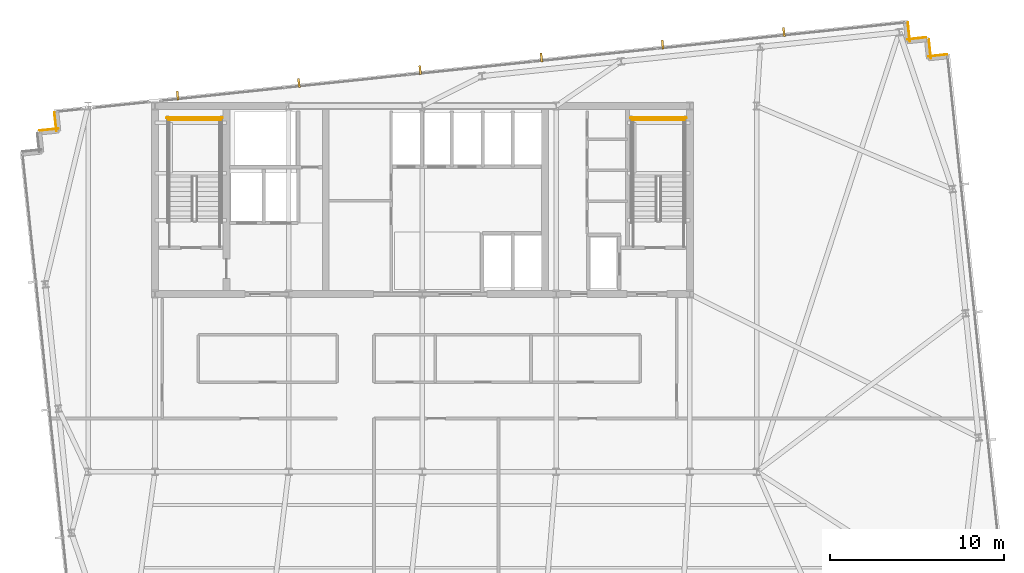
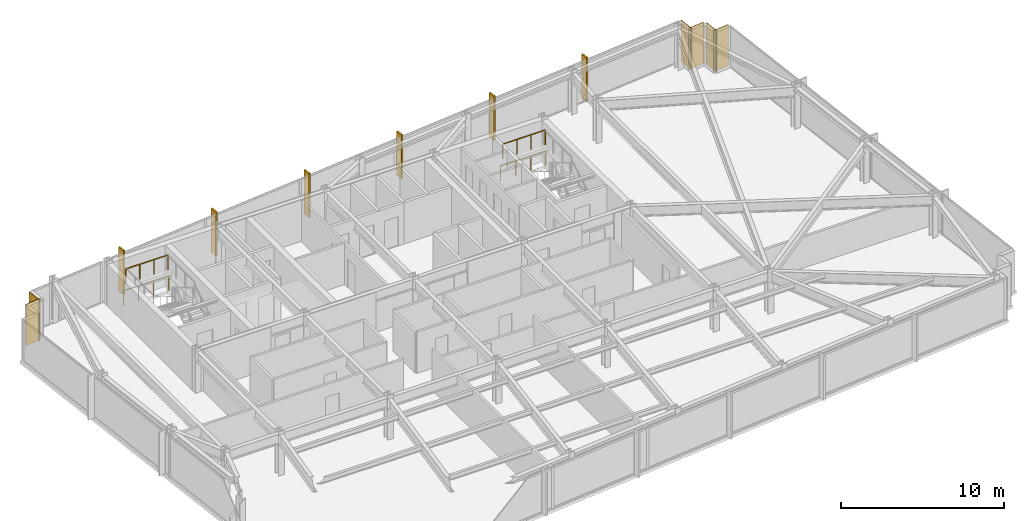
# One storey, part 32 of 32: 6 coverings, 6 shading devices, 4 railings.
"""IFC4 building model written with IfcOpenShell, lengths in metres."""

from ifc_helpers import new_model, si_unit, direction, frame, frame_2d, origin, origin_2d, place, context, subcontext, project, spatial, rectangle, circle, extrude, material, layer, layer_set, type_object, element, save


model = new_model("IFC4")

# Units and contexts
model_context = context("Model", 3, precision=1e-05, world=origin(), true_north=direction((0.0, 1.0)))
body_context = subcontext(model_context, "Body", "Model", "MODEL_VIEW")
ifc_project = project(units=[si_unit("LENGTHUNIT", "METRE"), si_unit("AREAUNIT", "SQUARE_METRE"), si_unit("VOLUMEUNIT", "CUBIC_METRE"), si_unit("PLANEANGLEUNIT", "RADIAN"), si_unit("MASSUNIT", "GRAM", prefix="KILO")], contexts=[model_context])

# Site, building, storey
site_placement = place(None, origin())
site = spatial("IfcSite", under=ifc_project, at=site_placement, CompositionType="ELEMENT")
building_placement = place(site_placement, origin())
building = spatial("IfcBuilding", under=site, at=building_placement, Name="Yelkora Congress Tower", CompositionType="ELEMENT")
storey_placement = place(building_placement, frame((0.0, 0.0, 207.800048828125)))
storey = spatial("IfcBuildingStorey", under=building, at=storey_placement, Name="L57", CompositionType="ELEMENT", Elevation=207.800048828125)

# Coverings
ifc_material_1 = material(Name="Anatolian bush-hammered limestone", Category="masonry")
ifc_layer_1 = layer(ifc_material_1, 0.0400390625)
ifc_layer_set_1 = layer_set([ifc_layer_1], Name="Anatolian bush-hammered limestone")
covering_type = type_object("IfcCoveringType", Name="COV-CLAD-SPANDREL-40", PredefinedType="CLADDING", material=ifc_layer_set_1)
for number, where, z_axis, x_axis, name in (
    (1, (16.406005859375, 44.7880859375, 0.0), (0.0, 0.0, 1.0), (0.994544300928, 0.104315068386, 0.0), "L57 Anatolian Limestone Cladding EW-L57-SR08"),
    (2, (17.379638671875, 44.75439453125, 0.0), (0.0, 0.0, 1.0), (-0.104534592565, 0.994521251134, 0.0), "L57 Anatolian Limestone Cladding EW-L57-SR09"),
    (3, (66.284912109375, 51.000732421875, 0.0), (0.0, 0.0, 1.0), (0.104534592565, -0.994521251134, 0.0), "L57 Anatolian Limestone Cladding EW-L57-SR11"),
):
    element("IfcCovering", number, at=place(storey_placement, frame(where, z_axis=z_axis, x_axis=x_axis)), inside=storey, type_object=covering_type, Name=name, PredefinedType="CLADDING", context=body_context, shape_type="SweptSolid", body=[
        extrude(rectangle(XDim=1.10009765625, YDim=0.0400390625, at=frame_2d((0.550048828125, 0.0))), origin(), (0.0, 0.0, 1.0), 3.079833984375),
    ])
covering_placement = place(storey_placement, frame((66.25146484375, 50.02685546875, 0.0), z_axis=(0.0, 0.0, 1.0), x_axis=(0.994518825066, 0.104557671117, 0.0)))
element("IfcCovering", 4, at=covering_placement, inside=storey, type_object=covering_type, Name="L57 Anatolian Limestone Cladding EW-L57-SR12", PredefinedType="CLADDING", context=body_context, shape_type="SweptSolid", body=[
    extrude(rectangle(XDim=1.099853515625, YDim=0.0400390625, at=frame_2d((0.5498046875, 0.0))), origin(), (0.0, 0.0, 1.0), 3.079833984375),
])
for number, where, z_axis, x_axis, name in (
    (5, (67.49365234375, 50.021728515625, 0.0), (0.0, 0.0, 1.0), (0.104534592565, -0.994521251134, 0.0), "L57 Anatolian Limestone Cladding EW-L57-SR13"),
    (6, (67.460205078125, 49.0478515625, 0.0), (0.0, 0.0, 1.0), (0.994521251134, 0.104534592565, 0.0), "L57 Anatolian Limestone Cladding EW-L57-SR14"),
):
    element("IfcCovering", number, at=place(storey_placement, frame(where, z_axis=z_axis, x_axis=x_axis)), inside=storey, type_object=covering_type, Name=name, PredefinedType="CLADDING", context=body_context, shape_type="SweptSolid", body=[
        extrude(rectangle(XDim=1.10009765625, YDim=0.0400390625, at=frame_2d((0.550048828125, 0.0))), origin(), (0.0, 0.0, 1.0), 3.079833984375),
    ])

# Railings
ifc_material_2 = material(Name="Painted galvanised steel stair well guard with vertical infill", Category="steel")
ifc_layer_2 = layer(ifc_material_2, 0.06005859375)
ifc_layer_set_2 = layer_set([ifc_layer_2], Name="Painted galvanised steel stair well guard with vertical infill")
railing_type = type_object("IfcRailingType", Name="RAIL-STAIR-GUARD-1120", PredefinedType="GUARDRAIL", material=ifc_layer_set_2)
railing_1_placement = place(storey_placement, frame((26.820068359375, 45.419921875, 1.64990234375)))
element("IfcRailing", 7, at=railing_1_placement, inside=storey, type_object=railing_type, Name="ST-01 L57 Stair Well Guardrail 5", PredefinedType="GUARDRAIL", context=body_context, shape_type="SweptSolid", body=[
    extrude(circle(Radius=0.02392578125, at=origin_2d()), frame((0.0, 0.0, 1.09619140625), z_axis=(-1.0, 0.0, 0.0), x_axis=(0.0, -1.0, 0.0)), (0.0, 0.0, 1.0), 3.0),
    extrude(circle(Radius=0.02099609375, at=origin_2d()), origin(), (0.0, 0.0, 1.0), 1.072021484375),
    extrude(circle(Radius=0.02099609375, at=origin_2d()), frame((-1.0, 0.0, 0.0)), (0.0, 0.0, 1.0), 1.072021484375),
    extrude(circle(Radius=0.02099609375, at=origin_2d()), frame((-2.0, 0.0, 0.0)), (0.0, 0.0, 1.0), 1.072021484375),
    extrude(circle(Radius=0.02099609375, at=origin_2d()), frame((-3.0, 0.0, 0.0)), (0.0, 0.0, 1.0), 1.072021484375),
])
railing_2_placement = place(storey_placement, frame((26.919921875, 45.52001953125, 0.0)))
element("IfcRailing", 8, at=railing_2_placement, inside=storey, type_object=railing_type, Name="ST-01 L57 Stair Well Guardrail 12", PredefinedType="GUARDRAIL", context=body_context, shape_type="SweptSolid", body=[
    extrude(circle(Radius=0.02392578125, at=origin_2d()), frame((0.0, 0.0, 1.09619140625), z_axis=(-1.0, 0.0, 0.0), x_axis=(0.0, -1.0, 0.0)), (0.0, 0.0, 1.0), 3.199951171875),
    extrude(circle(Radius=0.02099609375, at=origin_2d()), origin(), (0.0, 0.0, 1.0), 1.072021484375),
    extrude(circle(Radius=0.02099609375, at=origin_2d()), frame((-1.066650390625, 0.0, 0.0)), (0.0, 0.0, 1.0), 1.072021484375),
    extrude(circle(Radius=0.02099609375, at=origin_2d()), frame((-2.13330078125, 0.0, 0.0)), (0.0, 0.0, 1.0), 1.072021484375),
    extrude(circle(Radius=0.02099609375, at=origin_2d()), frame((-3.199951171875, 0.0, 0.0)), (0.0, 0.0, 1.0), 1.072021484375),
])
railing_3_placement = place(storey_placement, frame((53.4599609375, 45.419921875, 1.64990234375)))
element("IfcRailing", 9, at=railing_3_placement, inside=storey, type_object=railing_type, Name="ST-02 L57 Stair Well Guardrail 5", PredefinedType="GUARDRAIL", context=body_context, shape_type="SweptSolid", body=[
    extrude(circle(Radius=0.02392578125, at=origin_2d()), frame((0.0, 0.0, 1.09619140625), z_axis=(-1.0, 0.0, 0.0), x_axis=(0.0, -1.0, 0.0)), (0.0, 0.0, 1.0), 3.0),
    extrude(circle(Radius=0.02099609375, at=origin_2d()), origin(), (0.0, 0.0, 1.0), 1.072021484375),
    extrude(circle(Radius=0.02099609375, at=origin_2d()), frame((-1.0, 0.0, 0.0)), (0.0, 0.0, 1.0), 1.072021484375),
    extrude(circle(Radius=0.02099609375, at=origin_2d()), frame((-2.0, 0.0, 0.0)), (0.0, 0.0, 1.0), 1.072021484375),
    extrude(circle(Radius=0.02099609375, at=origin_2d()), frame((-3.0, 0.0, 0.0)), (0.0, 0.0, 1.0), 1.072021484375),
])
railing_4_placement = place(storey_placement, frame((53.56005859375, 45.52001953125, 0.0)))
element("IfcRailing", 10, at=railing_4_placement, inside=storey, type_object=railing_type, Name="ST-02 L57 Stair Well Guardrail 12", PredefinedType="GUARDRAIL", context=body_context, shape_type="SweptSolid", body=[
    extrude(circle(Radius=0.02392578125, at=origin_2d()), frame((0.0, 0.0, 1.09619140625), z_axis=(-1.0, 0.0, 0.0), x_axis=(0.0, -1.0, 0.0)), (0.0, 0.0, 1.0), 3.199951171875),
    extrude(circle(Radius=0.02099609375, at=origin_2d()), origin(), (0.0, 0.0, 1.0), 1.072021484375),
    extrude(circle(Radius=0.02099609375, at=origin_2d()), frame((-1.066650390625, 0.0, 0.0)), (0.0, 0.0, 1.0), 1.072021484375),
    extrude(circle(Radius=0.02099609375, at=origin_2d()), frame((-2.13330078125, 0.0, 0.0)), (0.0, 0.0, 1.0), 1.072021484375),
    extrude(circle(Radius=0.02099609375, at=origin_2d()), frame((-3.199951171875, 0.0, 0.0)), (0.0, 0.0, 1.0), 1.072021484375),
])

# Shading devices
ifc_material_3 = material(Name="Champagne anodised aluminium", Category="aluminium")
ifc_layer_3 = layer(ifc_material_3, 3.300048828125)
ifc_layer_set_3 = layer_set([ifc_layer_3], Name="Champagne anodised aluminium")
shading_device_type = type_object("IfcShadingDeviceType", Name="SHD-FIN-ALU-520", PredefinedType="USERDEFINED", material=ifc_layer_set_3)
for number, where, z_axis, x_axis, name in (
    (11, (24.342529296875, 46.79345703125, -0.0302734375), (0.0, 0.0, 1.0), (0.994521895368, 0.104528463268, 0.0), "L57 Vertical Anodised Solar Fin 10-1"),
    (12, (31.30712890625, 47.525390625, -0.0302734375), (0.0, 0.0, 1.0), (0.994521895368, 0.104528463268, 0.0), "L57 Vertical Anodised Solar Fin 10-2"),
    (13, (38.271484375, 48.257568359375, -0.0302734375), (0.0, 0.0, 1.0), (0.994521895368, 0.104528463268, 0.0), "L57 Vertical Anodised Solar Fin 10-3"),
    (14, (45.236083984375, 48.989501953125, -0.0302734375), (0.0, 0.0, 1.0), (0.994521895368, 0.104528463268, 0.0), "L57 Vertical Anodised Solar Fin 10-4"),
    (15, (52.20068359375, 49.721435546875, -0.0302734375), (0.0, 0.0, 1.0), (0.994521895368, 0.104528463268, 0.0), "L57 Vertical Anodised Solar Fin 10-5"),
    (16, (59.1650390625, 50.45361328125, -0.0302734375), (0.0, 0.0, 1.0), (0.994521895368, 0.104528463268, 0.0), "L57 Vertical Anodised Solar Fin 10-6"),
):
    element("IfcShadingDevice", number, at=place(storey_placement, frame(where, z_axis=z_axis, x_axis=x_axis)), inside=storey, type_object=shading_device_type, Name=name, ObjectType="FIN", PredefinedType="USERDEFINED", context=body_context, shape_type="SweptSolid", body=[
        extrude(rectangle(XDim=0.1201171875, YDim=0.52001953125, at=origin_2d()), origin(), (0.0, 0.0, 1.0), 3.280029296875),
    ])

save(model, "model.ifc")
